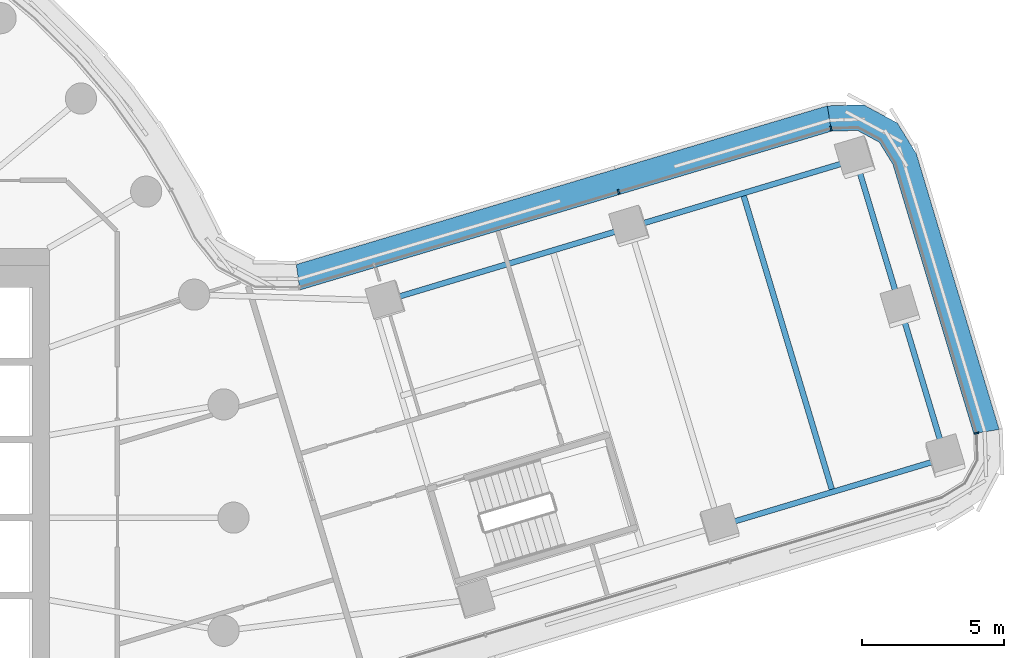
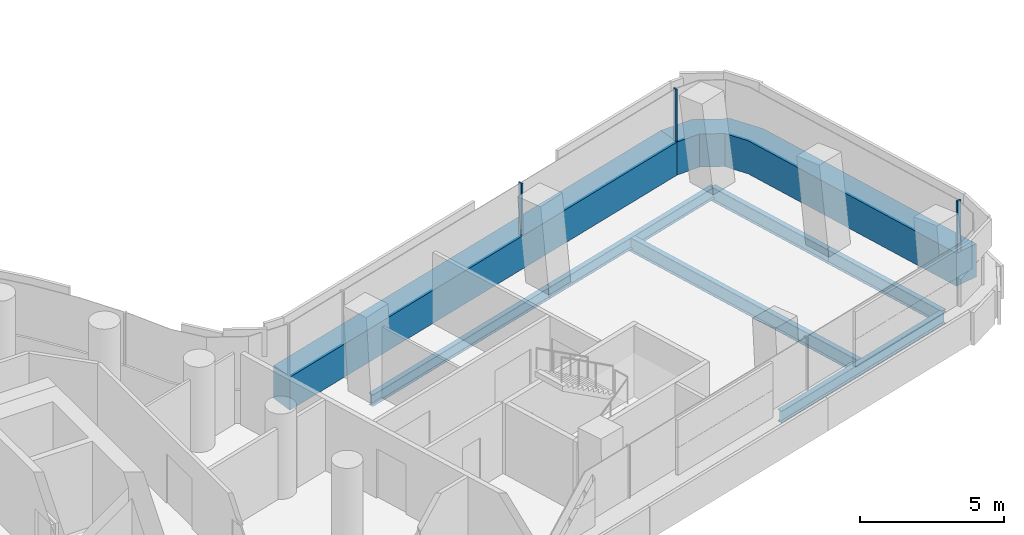
# One storey, part 12 of 32: 6 beams, 5 members, 2 elements without a shape of their own.
"""IFC4 building model written with IfcOpenShell, lengths in metres."""

from ifc_helpers import new_model, si_unit, direction, frame, origin, origin_2d, place, context, subcontext, project, spatial, polyline, rectangle, i_section, outline, extrude, material, layer, layer_set, material_profile, profile_set, type_object, element, aggregate, save


model = new_model("IFC4")

# Units and contexts
model_context = context("Model", 3, precision=1e-05, world=origin(), true_north=direction((0.0, 1.0)))
body_context = subcontext(model_context, "Body", "Model", "MODEL_VIEW")
ifc_project = project(units=[si_unit("LENGTHUNIT", "METRE"), si_unit("AREAUNIT", "SQUARE_METRE"), si_unit("VOLUMEUNIT", "CUBIC_METRE"), si_unit("PLANEANGLEUNIT", "RADIAN"), si_unit("MASSUNIT", "GRAM", prefix="KILO")], contexts=[model_context])

# Site, building, storey
site_placement = place(None, origin())
site = spatial("IfcSite", under=ifc_project, at=site_placement, CompositionType="ELEMENT")
building_placement = place(site_placement, origin())
building = spatial("IfcBuilding", under=site, at=building_placement, Name="Tamarind Cross Interchange Tower", CompositionType="ELEMENT")
storey_placement = place(building_placement, frame((0.0, 0.0, 94.75)))
storey = spatial("IfcBuildingStorey", under=building, at=storey_placement, Name="L22", CompositionType="ELEMENT", Elevation=94.75)

# Beams
ifc_material_1 = material(Name="Steel Q355B", Category="steel")
ifc_material_profile_1 = material_profile(ifc_material_1, i_section(OverallWidth=0.198974609375, OverallDepth=0.49609375, WebThickness=0.009033203125, FlangeThickness=0.013916015625, FilletRadius=0.012939453125, at=origin_2d()), Name="HN 496x199x9x14")
ifc_profile_set_1 = profile_set([ifc_material_profile_1], Name="Steel Q355B")
beam_type_1 = type_object("IfcBeamType", Name="Composite beam HN 496x199x9x14 Q355B", PredefinedType="BEAM", material=ifc_profile_set_1)
beam_1_placement = place(storey_placement, frame((48.119873046875, 2.10205078125, -0.387939453125), z_axis=(-0.957739832187, -0.287635904995, 0.0), x_axis=(0.287635904995, -0.957739832187, 0.0)))
element("IfcBeam", 1, at=beam_1_placement, inside=storey, type_object=beam_type_1, Name="Beam E-edgeem5", PredefinedType="BEAM", context=body_context, shape_type="SweptSolid", body=[
    extrude(i_section(OverallWidth=0.198974609375, OverallDepth=0.49609375, WebThickness=0.009033203125, FlangeThickness=0.013916015625, FilletRadius=0.012939453125, at=origin_2d()), origin(), (0.0, 0.0, 1.0), 8.320556640625),
])
beam_2_placement = place(storey_placement, frame((44.955810546875, 12.63720703125, -0.387939453125), z_axis=(-0.957731748837, -0.287662818713, 0.0), x_axis=(0.287662818713, -0.957731748837, 0.0)))
element("IfcBeam", 2, at=beam_2_placement, inside=storey, type_object=beam_type_1, Name="Beam E-edgeep2", PredefinedType="BEAM", context=body_context, shape_type="SweptSolid", body=[
    extrude(i_section(OverallWidth=0.198974609375, OverallDepth=0.49609375, WebThickness=0.009033203125, FlangeThickness=0.013916015625, FilletRadius=0.012939453125, at=origin_2d()), origin(), (0.0, 0.0, 1.0), 8.32080078125),
])
beam_3_placement = place(storey_placement, frame((36.98681640625, 10.24365234375, -0.387939453125), z_axis=(-0.957742624103, -0.287626608604, 0.0), x_axis=(0.287626608604, -0.957742624103, 0.0)))
element("IfcBeam", 3, at=beam_3_placement, inside=storey, type_object=beam_type_1, Name="Beam E-edgeep3", PredefinedType="BEAM", context=body_context, shape_type="SweptSolid", body=[
    extrude(i_section(OverallWidth=0.198974609375, OverallDepth=0.49609375, WebThickness=0.009033203125, FlangeThickness=0.013916015625, FilletRadius=0.012939453125, at=origin_2d()), origin(), (0.0, 0.0, 1.0), 9.0),
])
ifc_material_profile_2 = material_profile(ifc_material_1, i_section(OverallWidth=0.199951171875, OverallDepth=0.60009765625, WebThickness=0.010986328125, FlangeThickness=0.01708984375, FilletRadius=0.012939453125, at=origin_2d()), Name="HN 600x200x11x17")
ifc_profile_set_2 = profile_set([ifc_material_profile_2], Name="Steel Q355B")
beam_type_2 = type_object("IfcBeamType", Name="Composite beam HN 600x200x11x17 Q355B", PredefinedType="BEAM", material=ifc_profile_set_2)
for number, where, z_axis, x_axis, name in (
    (4, (48.119873046875, 2.10205078125, -0.43994140625), (-0.287641084217, 0.957738276707, 0.0), (-0.957738276707, -0.287641084217, 0.0), "Beam E-tip0"),
    (5, (46.537841796875, 7.36962890625, -0.43994140625), (-0.287641084217, 0.957738276707, 0.0), (-0.957738276707, -0.287641084217, 0.0), "Beam E-tip1"),
):
    element("IfcBeam", number, at=place(storey_placement, frame(where, z_axis=z_axis, x_axis=x_axis)), inside=storey, type_object=beam_type_2, Name=name, PredefinedType="BEAM", context=body_context, shape_type="SweptSolid", body=[
        extrude(i_section(OverallWidth=0.199951171875, OverallDepth=0.60009765625, WebThickness=0.010986328125, FlangeThickness=0.01708984375, FilletRadius=0.012939453125, at=origin_2d()), origin(), (0.0, 0.0, 1.0), 5.5),
    ])
beam_4_placement = place(storey_placement, frame((44.135498046875, 0.9052734375, -0.43994140625), z_axis=(-0.287641084217, 0.957738276707, 0.0), x_axis=(-0.957738276707, -0.287641084217, 0.0)))
element("IfcBeam", 6, at=beam_4_placement, inside=storey, type_object=beam_type_2, Name="Beam E-x435", PredefinedType="BEAM", context=body_context, shape_type="SweptSolid", body=[
    extrude(i_section(OverallWidth=0.199951171875, OverallDepth=0.60009765625, WebThickness=0.010986328125, FlangeThickness=0.01708984375, FilletRadius=0.012939453125, at=origin_2d()), origin(), (0.0, 0.0, 1.0), 11.0),
])

# Curtain wall, member
ifc_material_2 = material(Name="Aluminium 6063-T6", Category="aluminium")
ifc_layer = layer(ifc_material_2, 0.159912109375)
ifc_layer_set = layer_set([ifc_layer], Name="Aluminium 6063-T6")
curtain_wall_type = type_object("IfcCurtainWallType", Name="Office curtain wall, 9.0 m bays", PredefinedType="NOTDEFINED", material=ifc_layer_set)
curtain_wall_1_placement = place(storey_placement, origin())
curtain_wall_1 = element("IfcCurtainWall", 7, at=curtain_wall_1_placement, inside=storey, type_object=curtain_wall_type, Name="CWS-L22-12", PredefinedType="NOTDEFINED")
ifc_material_3 = material(Name="Aluminium and insulated spandrel panel", Category="aluminium")
member_type_1 = type_object("IfcMemberType", Name="Floor-edge blade transom", PredefinedType="USERDEFINED", material=ifc_material_3)
member_1_placement = place(storey_placement, origin())
member_1 = element("IfcMember", 8, at=member_1_placement, type_object=member_type_1, Name="CWT-L22-12", ObjectType="TRANSOM", PredefinedType="USERDEFINED", context=body_context, shape_type="SweptSolid", body=[
    extrude(outline(polyline([(49.114013671875, 2.9638671875), (46.26025390625, 12.465576171875), (45.779052734375, 13.244384765625), (45.009033203125, 13.65869140625), (44.09375, 13.631103515625), (43.948974609375, 14.52734375), (45.22314453125, 14.5654296875), (46.41796875, 13.922607421875), (47.088134765625, 12.837890625), (50.010009765625, 3.109375), (49.114013671875, 2.9638671875)])), origin(), (0.0, 0.0, 1.0), 1.39990234375),
])

curtain_wall_2_placement = place(storey_placement, origin())
curtain_wall_2 = element("IfcCurtainWall", 9, at=curtain_wall_2_placement, inside=storey, type_object=curtain_wall_type, Name="CWS-L22-13", PredefinedType="NOTDEFINED")
member_2_placement = place(storey_placement, origin())
member_2 = element("IfcMember", 10, at=member_2_placement, type_object=member_type_1, Name="CWT-L22-13", ObjectType="TRANSOM", PredefinedType="USERDEFINED", context=body_context, shape_type="SweptSolid", body=[
    extrude(outline(polyline([(44.09375, 13.631103515625), (25.339111328125, 8.027099609375), (25.2138671875, 8.928955078125), (43.948974609375, 14.52734375), (44.09375, 13.631103515625)])), origin(), (0.0, 0.0, 1.0), 1.39990234375),
])

# Member
ifc_material_profile_3 = material_profile(ifc_material_2, rectangle(XDim=0.06005859375, YDim=0.159912109375, at=origin_2d()), Name="Mullion CW1")
ifc_profile_set_3 = profile_set([ifc_material_profile_3], Name="Aluminium 6063-T6")
member_type_2 = type_object("IfcMemberType", Name="Mullion CW1", PredefinedType="MULLION", material=ifc_profile_set_3)
member_3_placement = place(storey_placement, frame((49.213623046875, 2.97998046875, 1.39990234375), z_axis=(0.0, 0.0, 1.0), x_axis=(-0.160170624285, 0.987089343026, 0.0)))
member_3 = element("IfcMember", 11, at=member_3_placement, type_object=member_type_2, Name="CWM-L22-12-00", PredefinedType="MULLION", context=body_context, shape_type="SweptSolid", body=[
    extrude(rectangle(XDim=0.06005859375, YDim=0.159912109375, at=origin_2d()), origin(), (0.0, 0.0, 1.0), 2.210205078125),
])

aggregate(curtain_wall_1, [member_3, member_1])

member_4_placement = place(storey_placement, frame((44.07763671875, 13.730712890625, 1.39990234375), z_axis=(0.0, 0.0, 1.0), x_axis=(-0.987200870111, -0.15948179223, 0.0)))
member_4 = element("IfcMember", 12, at=member_4_placement, type_object=member_type_2, Name="CWM-L22-13-00", PredefinedType="MULLION", context=body_context, shape_type="SweptSolid", body=[
    extrude(rectangle(XDim=0.06005859375, YDim=0.159912109375, at=origin_2d()), origin(), (0.0, 0.0, 1.0), 2.210205078125),
])

member_5_placement = place(storey_placement, frame((36.582763671875, 11.4912109375, 1.39990234375), z_axis=(0.0, 0.0, 1.0), x_axis=(-0.958138695884, -0.286304452373, 0.0)))
member_5 = element("IfcMember", 13, at=member_5_placement, type_object=member_type_2, Name="CWM-L22-13-01", PredefinedType="MULLION", context=body_context, shape_type="SweptSolid", body=[
    extrude(rectangle(XDim=0.06005859375, YDim=0.159912109375, at=origin_2d()), origin(), (0.0, 0.0, 1.0), 2.210205078125),
])

aggregate(curtain_wall_2, [member_4, member_5, member_2])

save(model, "model.ifc")
